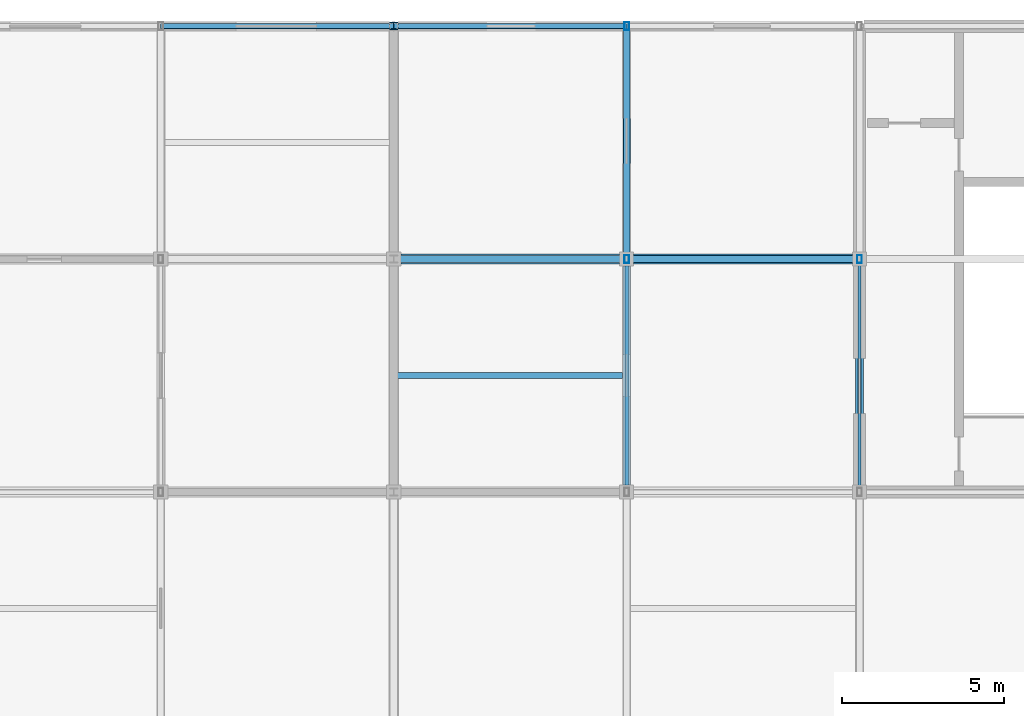
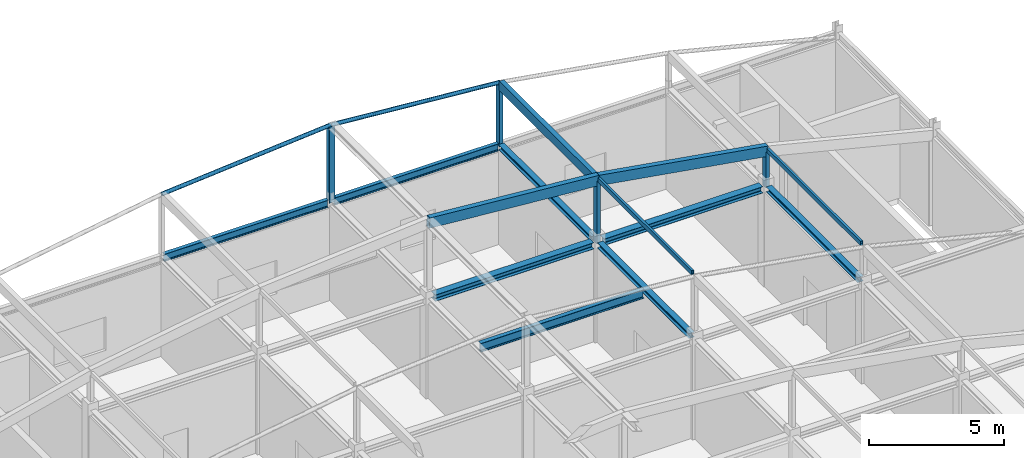
# One storey, part 13 of 23: 11 members, 8 beams.
"""IFC4 building model written with IfcOpenShell, lengths in metres."""

from ifc_helpers import new_model, si_unit, direction, frame, origin, origin_2d, place, context, subcontext, project, spatial, rectangle, hollow_rectangle, hollow_circle, i_section, extrude, material, material_profile, profile_set, type_object, element, save


model = new_model("IFC4")

# Units and contexts
model_context = context("Model", 3, precision=1e-05, world=origin(), true_north=direction((0.0, 1.0)))
body_context = subcontext(model_context, "Body", "Model", "MODEL_VIEW")
ifc_project = project(units=[si_unit("LENGTHUNIT", "METRE"), si_unit("AREAUNIT", "SQUARE_METRE"), si_unit("VOLUMEUNIT", "CUBIC_METRE"), si_unit("PLANEANGLEUNIT", "RADIAN"), si_unit("MASSUNIT", "GRAM", prefix="KILO")], contexts=[model_context])

# Site, building, storey
site_placement = place(None, origin())
site = spatial("IfcSite", under=ifc_project, at=site_placement, CompositionType="ELEMENT")
building_placement = place(site_placement, origin())
building = spatial("IfcBuilding", under=site, at=building_placement, Name="Cendaluz Park School", CompositionType="ELEMENT")
storey_placement = place(building_placement, frame((0.0, 0.0, 67.199951171875)))
storey = spatial("IfcBuildingStorey", under=building, at=storey_placement, Name="L16", CompositionType="ELEMENT", Elevation=67.199951171875)

# Beams
ifc_material_1 = material(Name="Steel S355", Category="steel")
ifc_material_profile_1 = material_profile(ifc_material_1, i_section(OverallWidth=0.300048828125, OverallDepth=0.2900390625, WebThickness=0.009033203125, FlangeThickness=0.013916015625, FilletRadius=0.027099609375, at=origin_2d()), Name="HEA 300", Category="steel")
ifc_profile_set_1 = profile_set([ifc_material_profile_1], Name="Steel S355")
beam_type_1 = type_object("IfcBeamType", Name="BM-ST05", PredefinedType="BEAM", material=ifc_profile_set_1)
beam_1_placement = place(storey_placement, frame((86.6201171875, 50.39990234375, 4.344970703125), z_axis=(1.0, 0.0, 0.0), x_axis=(0.0, 1.0, 0.0)))
element("IfcBeam", 1, at=beam_1_placement, inside=storey, type_object=beam_type_1, Name="BM-L16-BMST05-0023", PredefinedType="BEAM", context=body_context, shape_type="SweptSolid", body=[
    extrude(i_section(OverallWidth=0.300048828125, OverallDepth=0.2900390625, WebThickness=0.009033203125, FlangeThickness=0.013916015625, FilletRadius=0.027099609375, at=origin_2d()), origin(), (0.0, 0.0, 1.0), 6.759765625),
])
beam_2_placement = place(storey_placement, frame((93.820068359375, 50.39990234375, 4.344970703125), z_axis=(1.0, 0.0, 0.0), x_axis=(0.0, 1.0, 0.0)))
element("IfcBeam", 2, at=beam_2_placement, inside=storey, type_object=beam_type_1, Name="BM-L16-BMST05-0030", PredefinedType="BEAM", context=body_context, shape_type="SweptSolid", body=[
    extrude(i_section(OverallWidth=0.300048828125, OverallDepth=0.2900390625, WebThickness=0.009033203125, FlangeThickness=0.013916015625, FilletRadius=0.027099609375, at=origin_2d()), origin(), (0.0, 0.0, 1.0), 6.760009765625),
])
ifc_material_profile_2 = material_profile(ifc_material_1, i_section(OverallWidth=0.239990234375, OverallDepth=0.22998046875, WebThickness=0.008056640625, FlangeThickness=0.011962890625, FilletRadius=0.02099609375, at=origin_2d()), Name="HEA 240", Category="steel")
ifc_profile_set_2 = profile_set([ifc_material_profile_2], Name="Steel S355")
beam_type_2 = type_object("IfcBeamType", Name="BM-ST06", PredefinedType="BEAM", material=ifc_profile_set_2)
beam_3_placement = place(storey_placement, frame((93.60009765625, 43.419921875, 4.375), z_axis=(0.0, 1.0, 0.0), x_axis=(-1.0, 0.0, 0.0)))
element("IfcBeam", 3, at=beam_3_placement, inside=storey, type_object=beam_type_2, Name="BM-L16-BMST06-0063", PredefinedType="BEAM", context=body_context, shape_type="SweptSolid", body=[
    extrude(i_section(OverallWidth=0.239990234375, OverallDepth=0.22998046875, WebThickness=0.008056640625, FlangeThickness=0.011962890625, FilletRadius=0.02099609375, at=origin_2d()), origin(), (0.0, 0.0, 1.0), 6.760009765625),
])
beam_4_placement = place(storey_placement, frame((93.60009765625, 50.6201171875, 4.375), z_axis=(0.0, 1.0, 0.0), x_axis=(-1.0, 0.0, 0.0)))
element("IfcBeam", 4, at=beam_4_placement, inside=storey, type_object=beam_type_2, Name="BM-L16-BMST06-0064", PredefinedType="BEAM", context=body_context, shape_type="SweptSolid", body=[
    extrude(i_section(OverallWidth=0.239990234375, OverallDepth=0.22998046875, WebThickness=0.008056640625, FlangeThickness=0.011962890625, FilletRadius=0.02099609375, at=origin_2d()), origin(), (0.0, 0.0, 1.0), 6.85498046875),
])
beam_5_placement = place(storey_placement, frame((100.800048828125, 43.419921875, 4.375), z_axis=(0.0, 1.0, 0.0), x_axis=(-1.0, 0.0, 0.0)))
element("IfcBeam", 5, at=beam_5_placement, inside=storey, type_object=beam_type_2, Name="BM-L16-BMST06-0069", PredefinedType="BEAM", context=body_context, shape_type="SweptSolid", body=[
    extrude(i_section(OverallWidth=0.239990234375, OverallDepth=0.22998046875, WebThickness=0.008056640625, FlangeThickness=0.011962890625, FilletRadius=0.02099609375, at=origin_2d()), origin(), (0.0, 0.0, 1.0), 6.760009765625),
])
ifc_material_profile_3 = material_profile(ifc_material_1, i_section(OverallWidth=0.179931640625, OverallDepth=0.39990234375, WebThickness=0.009033203125, FlangeThickness=0.013916015625, FilletRadius=0.02099609375, at=origin_2d()), Name="IPE 400", Category="steel")
ifc_profile_set_3 = profile_set([ifc_material_profile_3], Name="Steel S355")
beam_type_3 = type_object("IfcBeamType", Name="BM-ST07", PredefinedType="BEAM", material=ifc_profile_set_3)
beam_6_placement = place(storey_placement, frame((86.52001953125, 46.800048828125, 4.2900390625), z_axis=(1.0, 0.0, 0.0), x_axis=(0.0, 1.0, 0.0)))
element("IfcBeam", 6, at=beam_6_placement, inside=storey, type_object=beam_type_3, Name="BM-L16-BMST07-0085", PredefinedType="BEAM", context=body_context, shape_type="SweptSolid", body=[
    extrude(i_section(OverallWidth=0.179931640625, OverallDepth=0.39990234375, WebThickness=0.009033203125, FlangeThickness=0.013916015625, FilletRadius=0.02099609375, at=origin_2d()), origin(), (0.0, 0.0, 1.0), 6.9599609375),
])
ifc_material_profile_4 = material_profile(ifc_material_1, i_section(OverallWidth=0.159912109375, OverallDepth=0.330078125, WebThickness=0.008056640625, FlangeThickness=0.011962890625, FilletRadius=0.01806640625, at=origin_2d()), Name="IPE 330", Category="steel")
ifc_profile_set_4 = profile_set([ifc_material_profile_4], Name="Steel S355")
beam_type_4 = type_object("IfcBeamType", Name="BM-ST08", PredefinedType="LINTEL", material=ifc_profile_set_4)
beam_7_placement = place(storey_placement, frame((79.27490234375, 57.60009765625, 4.324951171875), z_axis=(1.0, 0.0, 0.0), x_axis=(0.0, 1.0, 0.0)))
element("IfcBeam", 7, at=beam_7_placement, inside=storey, type_object=beam_type_4, Name="BM-L16-BMST08-0018", PredefinedType="LINTEL", context=body_context, shape_type="SweptSolid", body=[
    extrude(i_section(OverallWidth=0.159912109375, OverallDepth=0.330078125, WebThickness=0.008056640625, FlangeThickness=0.011962890625, FilletRadius=0.01806640625, at=origin_2d()), origin(), (0.0, 0.0, 1.0), 6.988525390625),
])
beam_8_placement = place(storey_placement, frame((86.53662109375, 57.60009765625, 4.324951171875), z_axis=(1.0, 0.0, 0.0), x_axis=(0.0, 1.0, 0.0)))
element("IfcBeam", 8, at=beam_8_placement, inside=storey, type_object=beam_type_4, Name="BM-L16-BMST08-0024", PredefinedType="LINTEL", context=body_context, shape_type="SweptSolid", body=[
    extrude(i_section(OverallWidth=0.159912109375, OverallDepth=0.330078125, WebThickness=0.008056640625, FlangeThickness=0.011962890625, FilletRadius=0.01806640625, at=origin_2d()), origin(), (0.0, 0.0, 1.0), 6.98828125),
])

# Members
ifc_material_profile_5 = material_profile(ifc_material_1, hollow_circle(Radius=0.083984375, WallThickness=0.008056640625, at=origin_2d()), Name="CHS 168x8", Category="steel")
ifc_profile_set_5 = profile_set([ifc_material_profile_5], Name="Steel S355")
member_type_1 = type_object("IfcMemberType", Name="MB-CH02", PredefinedType="CHORD", material=ifc_profile_set_5)
member_1_placement = place(storey_placement, frame((79.199951171875, 57.60009765625, 7.179931640625), z_axis=(0.996544592923, 0.0, 0.083059462528), x_axis=(0.0, 1.0, 0.0)))
element("IfcMember", 9, at=member_1_placement, inside=storey, type_object=member_type_1, Name="MB-L16-MBCH02-0074", PredefinedType="CHORD", context=body_context, shape_type="SweptSolid", body=[
    extrude(hollow_circle(Radius=0.083984375, WallThickness=0.008056640625, at=origin_2d()), origin(), (0.0, 0.0, 1.0), 7.224853515625),
])
member_2_placement = place(storey_placement, frame((86.39990234375, 57.60009765625, 7.780029296875), z_axis=(0.996544826035, 0.0, -0.083056665618), x_axis=(0.0, 1.0, 0.0)))
element("IfcMember", 10, at=member_2_placement, inside=storey, type_object=member_type_1, Name="MB-L16-MBCH02-0075", PredefinedType="CHORD", context=body_context, shape_type="SweptSolid", body=[
    extrude(hollow_circle(Radius=0.083984375, WallThickness=0.008056640625, at=origin_2d()), origin(), (0.0, 0.0, 1.0), 7.22509765625),
])
ifc_material_2 = material(Name="Glulam GL28h", Category="wood")
ifc_material_profile_6 = material_profile(ifc_material_2, rectangle(XDim=0.219970703125, YDim=0.4599609375, at=origin_2d()), Name="GL28h 220x460", Category="wood")
ifc_profile_set_6 = profile_set([ifc_material_profile_6], Name="Glulam GL28h")
member_type_2 = type_object("IfcMemberType", Name="MB-CH03", PredefinedType="CHORD", material=ifc_profile_set_6)
member_3_placement = place(storey_placement, frame((86.39990234375, 50.39990234375, 7.780029296875), z_axis=(0.996544826035, 0.0, -0.083056665618), x_axis=(0.0, 1.0, 0.0)))
element("IfcMember", 11, at=member_3_placement, inside=storey, type_object=member_type_2, Name="MB-L16-MBCH03-0064", PredefinedType="CHORD", context=body_context, shape_type="SweptSolid", body=[
    extrude(rectangle(XDim=0.219970703125, YDim=0.4599609375, at=origin_2d()), origin(), (0.0, 0.0, 1.0), 7.22509765625),
])
member_4_placement = place(storey_placement, frame((93.60009765625, 50.39990234375, 7.179931640625), z_axis=(0.986394827799, 0.0, -0.164393563414), x_axis=(0.0, 1.0, 0.0)))
element("IfcMember", 12, at=member_4_placement, inside=storey, type_object=member_type_2, Name="MB-L16-MBCH03-0065", PredefinedType="CHORD", context=body_context, shape_type="SweptSolid", body=[
    extrude(rectangle(XDim=0.219970703125, YDim=0.4599609375, at=origin_2d()), origin(), (0.0, 0.0, 1.0), 7.29931640625),
])
ifc_material_profile_7 = material_profile(ifc_material_1, hollow_rectangle(XDim=0.10009765625, YDim=0.199951171875, WallThickness=0.008056640625, at=origin_2d()), Name="RHS 200x100x8", Category="steel")
ifc_profile_set_7 = profile_set([ifc_material_profile_7], Name="Steel S355")
member_type_3 = type_object("IfcMemberType", Name="MB-PR03", PredefinedType="PURLIN", material=ifc_profile_set_7)
for number, where, z_axis, x_axis, name in (
    (13, (93.60009765625, 43.340087890625, 7.25), (0.0, 1.0, 0.0), (-1.0, 0.0, 0.0), "MB-L16-MBPR03-0096"),
    (14, (100.800048828125, 43.340087890625, 6.050048828125), (0.0, 1.0, 0.0), (-1.0, 0.0, 0.0), "MB-L16-MBPR03-0097"),
):
    element("IfcMember", number, at=place(storey_placement, frame(where, z_axis=z_axis, x_axis=x_axis)), inside=storey, type_object=member_type_3, Name=name, PredefinedType="PURLIN", context=body_context, shape_type="SweptSolid", body=[
        extrude(hollow_rectangle(XDim=0.10009765625, YDim=0.199951171875, WallThickness=0.008056640625, at=origin_2d()), origin(), (0.0, 0.0, 1.0), 6.919921875),
    ])
ifc_material_profile_8 = material_profile(ifc_material_2, rectangle(XDim=0.199951171875, YDim=0.419921875, at=origin_2d()), Name="GL28h 200x420", Category="wood")
ifc_profile_set_8 = profile_set([ifc_material_profile_8], Name="Glulam GL28h")
member_type_4 = type_object("IfcMemberType", Name="MB-PR04", PredefinedType="PURLIN", material=ifc_profile_set_8)
member_5_placement = place(storey_placement, frame((93.60009765625, 50.5400390625, 7.14013671875), z_axis=(0.0, 1.0, 0.0), x_axis=(-1.0, 0.0, 0.0)))
element("IfcMember", 15, at=member_5_placement, inside=storey, type_object=member_type_4, Name="MB-L16-MBPR04-0100", PredefinedType="PURLIN", context=body_context, shape_type="SweptSolid", body=[
    extrude(rectangle(XDim=0.199951171875, YDim=0.419921875, at=origin_2d()), origin(), (0.0, 0.0, 1.0), 6.919921875),
])
ifc_material_profile_9 = material_profile(ifc_material_1, i_section(OverallWidth=0.239990234375, OverallDepth=0.22998046875, WebThickness=0.008056640625, FlangeThickness=0.011962890625, FilletRadius=0.02099609375, at=origin_2d()), Name="HEA 240", Category="steel")
ifc_profile_set_9 = profile_set([ifc_material_profile_9], Name="Steel S355")
member_type_5 = type_object("IfcMemberType", Name="MST-01", PredefinedType="STRUT", material=ifc_profile_set_9)
member_6_placement = place(storey_placement, frame((86.39990234375, 57.60009765625, 4.35009765625), z_axis=(0.0, 0.0, 1.0), x_axis=(1.0, 0.0, 0.0)))
element("IfcMember", 16, at=member_6_placement, inside=storey, type_object=member_type_5, Name="MB-L16-MBST01-0067", PredefinedType="STRUT", context=body_context, shape_type="SweptSolid", body=[
    extrude(i_section(OverallWidth=0.239990234375, OverallDepth=0.22998046875, WebThickness=0.008056640625, FlangeThickness=0.011962890625, FilletRadius=0.02099609375, at=origin_2d()), origin(), (0.0, 0.0, 1.0), 3.429931640625),
])
ifc_material_profile_10 = material_profile(ifc_material_1, hollow_rectangle(XDim=0.14990234375, YDim=0.25, WallThickness=0.010009765625, at=origin_2d()), Name="RHS 250x150x10", Category="steel")
ifc_profile_set_10 = profile_set([ifc_material_profile_10], Name="Steel S355")
member_type_6 = type_object("IfcMemberType", Name="MST-02", PredefinedType="STRUT", material=ifc_profile_set_10)
member_7_placement = place(storey_placement, frame((93.60009765625, 50.39990234375, 4.35009765625), z_axis=(0.0, 0.0, 1.0), x_axis=(1.0, 0.0, 0.0)))
element("IfcMember", 17, at=member_7_placement, inside=storey, type_object=member_type_6, Name="MB-L16-MBST02-0059", PredefinedType="STRUT", context=body_context, shape_type="SweptSolid", body=[
    extrude(hollow_rectangle(XDim=0.14990234375, YDim=0.25, WallThickness=0.010009765625, at=origin_2d()), origin(), (0.0, 0.0, 1.0), 2.829833984375),
])
member_8_placement = place(storey_placement, frame((100.800048828125, 50.39990234375, 4.35009765625), z_axis=(0.0, 0.0, 1.0), x_axis=(1.0, 0.0, 0.0)))
element("IfcMember", 18, at=member_8_placement, inside=storey, type_object=member_type_6, Name="MB-L16-MBST02-0060", PredefinedType="STRUT", context=body_context, shape_type="SweptSolid", body=[
    extrude(hollow_rectangle(XDim=0.14990234375, YDim=0.25, WallThickness=0.010009765625, at=origin_2d()), origin(), (0.0, 0.0, 1.0), 1.6298828125),
])
member_9_placement = place(storey_placement, frame((93.60009765625, 57.60009765625, 4.35009765625), z_axis=(0.0, 0.0, 1.0), x_axis=(1.0, 0.0, 0.0)))
element("IfcMember", 19, at=member_9_placement, inside=storey, type_object=member_type_6, Name="MB-L16-MBST02-0070", PredefinedType="STRUT", context=body_context, shape_type="SweptSolid", body=[
    extrude(hollow_rectangle(XDim=0.14990234375, YDim=0.25, WallThickness=0.010009765625, at=origin_2d()), origin(), (0.0, 0.0, 1.0), 2.829833984375),
])

save(model, "model.ifc")
